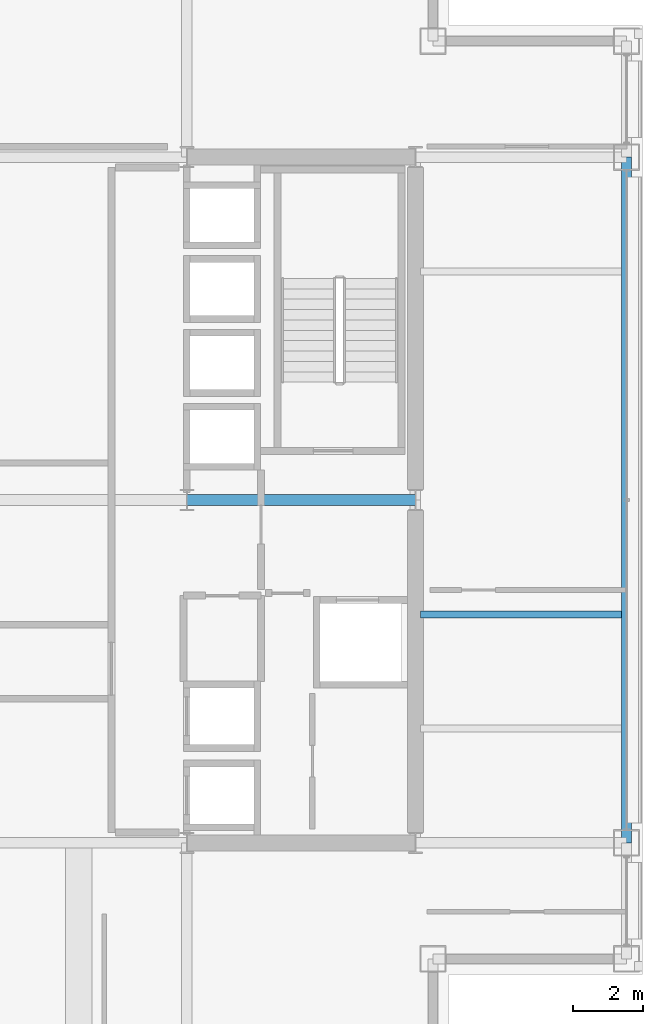
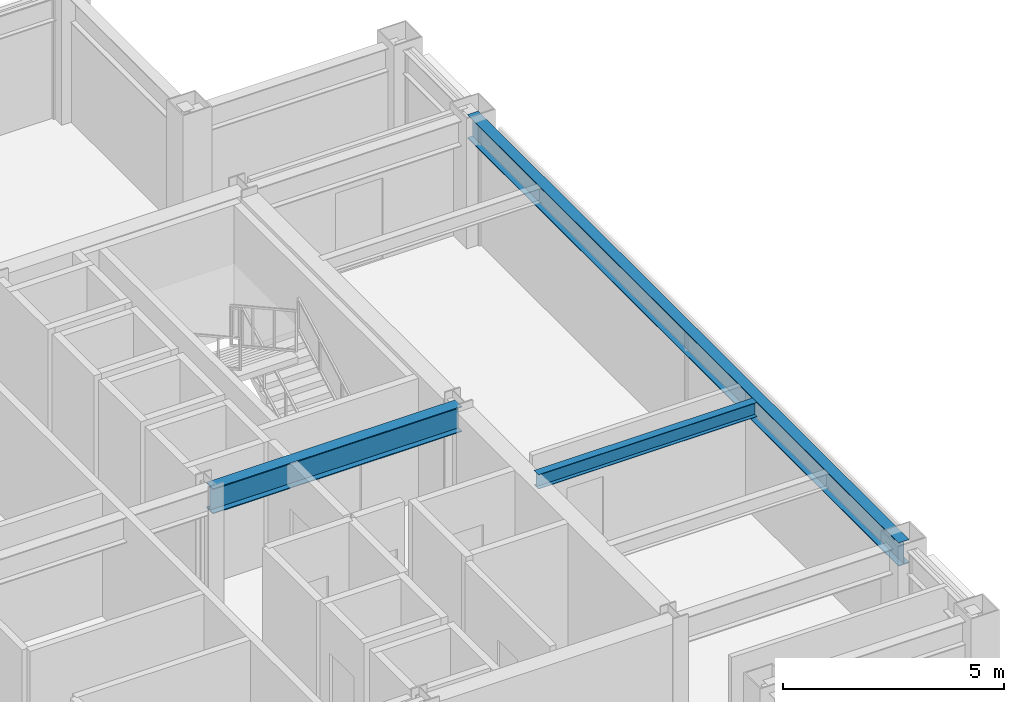
# One storey, part 14 of 28: 3 beams.
"""IFC4 building model written with IfcOpenShell, lengths in metres."""

import ifcopenshell
import ifcopenshell.guid

model = None  # the IFC model being written
_history = None  # IfcOwnerHistory: only IFC2X3 demands one
_inside = {}  # id of a spatial element -> (the spatial element, [elements in it])
_under = {}  # id of a project, library or spatial element -> (it, [spatial elements below it])
_declared = {}  # id of a project -> (the project, [libraries it declares])
_typed = {}  # id of a type object -> (the type object, [elements of that type])
_made_of = {}  # id of a material, layer set ... -> (it, [elements and type objects made of it])


def new_model(schema):
    """Start an empty IFC model of exactly this schema.

    Asked for "IFC4X3", IfcOpenShell would pick the latest addendum, in which some entities
    have other attributes; the version numbers below select the first issue.
    IFC2X3 requires an IfcOwnerHistory on every rooted entity: one is made here for all.
    """
    global model, _history
    if schema == "IFC4X3":
        model = ifcopenshell.file(schema_version=(4, 3, 0, 0))
    else:
        model = ifcopenshell.file(schema=schema)
    _inside.clear()
    _under.clear()
    _declared.clear()
    _typed.clear()
    _made_of.clear()
    _history = None
    if model.schema == "IFC2X3":
        org = make("IfcOrganization", Name="unknown")
        user = make(
            "IfcPersonAndOrganization",
            ThePerson=make("IfcPerson", FamilyName="unknown"),
            TheOrganization=org,
        )
        app = make(
            "IfcApplication",
            ApplicationDeveloper=org,
            Version="unknown",
            ApplicationFullName="unknown",
            ApplicationIdentifier="unknown",
        )
        _history = make(
            "IfcOwnerHistory",
            OwningUser=user,
            OwningApplication=app,
            ChangeAction="ADDED",
            CreationDate=0,
        )
    return model


def make(cls, **values):
    """One entity of the class cls with the attributes given. An attribute that is None is left unset."""
    return model.create_entity(
        cls, **{name: value for name, value in values.items() if value is not None}
    )


def rooted(cls, **values):
    """An entity with a GlobalId (a new one), such as an element, a storey or a relation."""
    return make(cls, GlobalId=ifcopenshell.guid.new(), OwnerHistory=_history, **values)


def si_unit(unit_type, name, prefix=None):
    """IfcSIUnit, for example si_unit("LENGTHUNIT", "METRE", prefix="MILLI")."""
    return make("IfcSIUnit", UnitType=unit_type, Prefix=prefix, Name=name)


def assignment(units):
    """IfcUnitAssignment: the units of a project."""
    return None if units is None else make("IfcUnitAssignment", Units=units)


def point(xyz):
    """IfcCartesianPoint."""
    return None if xyz is None else make("IfcCartesianPoint", Coordinates=xyz)


def direction(xyz):
    """IfcDirection."""
    return None if xyz is None else make("IfcDirection", DirectionRatios=xyz)


def frame(location, z_axis=None, x_axis=None):
    """IfcAxis2Placement3D, a coordinate frame: its origin and axes. An axis left out is left unset."""
    return make(
        "IfcAxis2Placement3D",
        Location=point(location),
        Axis=direction(z_axis),
        RefDirection=direction(x_axis),
    )


def frame_2d(location, x_axis=None):
    """IfcAxis2Placement2D, a coordinate frame in the plane: its origin and x axis."""
    return make(
        "IfcAxis2Placement2D", Location=point(location), RefDirection=direction(x_axis)
    )


def origin():
    """The frame at (0, 0, 0) with its axes left unset."""
    return frame((0.0, 0.0, 0.0))


def origin_2d():
    """The frame at (0, 0) in the plane with its x axis left unset."""
    return frame_2d((0.0, 0.0))


def place(relative_to, where):
    """IfcLocalPlacement: puts the frame where relative to a parent placement (None: the world)."""
    return make(
        "IfcLocalPlacement", PlacementRelTo=relative_to, RelativePlacement=where
    )


def context(
    kind, dimensions, precision=None, world=None, true_north=None, identifier=None
):
    """IfcGeometricRepresentationContext, for example the 3D "Model" context."""
    return make(
        "IfcGeometricRepresentationContext",
        ContextIdentifier=identifier,
        ContextType=kind,
        CoordinateSpaceDimension=dimensions,
        Precision=precision,
        WorldCoordinateSystem=world,
        TrueNorth=true_north,
    )


def subcontext(parent, identifier, kind, view, scale=None):
    """IfcGeometricRepresentationSubContext, for example "Body" below "Model"."""
    return make(
        "IfcGeometricRepresentationSubContext",
        ContextIdentifier=identifier,
        ContextType=kind,
        ParentContext=parent,
        TargetScale=scale,
        TargetView=view,
    )


def project(units=None, contexts=None):
    """IfcProject with its units and contexts."""
    return rooted(
        "IfcProject",
        Name="project",
        RepresentationContexts=contexts,
        UnitsInContext=assignment(units),
    )


def spatial(cls, under=None, at=None, **own):
    """A site, building, storey or space (cls), placed at a placement, below another one or the project."""
    s = rooted(cls, ObjectPlacement=at, **own)
    if under is not None:
        _under.setdefault(under.id(), (under, []))[1].append(s)
    return s


def profile(cls, at=None, kind="AREA", **sizes):
    """A parametric profile (cls). Its sizes go by their IFC names, for example OverallWidth=200.0."""
    return make(cls, ProfileType=kind, Position=at, **sizes)


def i_section(**sizes):
    """IfcIShapeProfileDef."""
    return profile("IfcIShapeProfileDef", **sizes)


def extrude(swept, where, along, depth):
    """IfcExtrudedAreaSolid: the profile swept, set in the frame where, extruded along a direction by depth."""
    return make(
        "IfcExtrudedAreaSolid",
        SweptArea=swept,
        Position=where,
        ExtrudedDirection=direction(along),
        Depth=depth,
    )


def shape(context_of_items, identifier, shape_type, items):
    """IfcShapeRepresentation: the items that make up one representation, for example the "Body"."""
    return make(
        "IfcShapeRepresentation",
        ContextOfItems=context_of_items,
        RepresentationIdentifier=identifier,
        RepresentationType=shape_type,
        Items=items,
    )


def material(Name=None, Category=None):
    """IfcMaterial."""
    return make("IfcMaterial", Name=Name, Category=Category)


def material_profile(
    of_material, cross_section, Name=None, Category=None, Priority=None
):
    """IfcMaterialProfile: a cross section and its material."""
    return make(
        "IfcMaterialProfile",
        Name=Name,
        Material=of_material,
        Profile=cross_section,
        Priority=Priority,
        Category=Category,
    )


def profile_set(profiles, Name=None, composite=None):
    """IfcMaterialProfileSet."""
    return make(
        "IfcMaterialProfileSet",
        Name=Name,
        MaterialProfiles=profiles,
        CompositeProfile=composite,
    )


def made_of(thing, what):
    """Note that an element or type object is made of a material, layer set ...; save() writes the relation."""
    if what is not None:
        _made_of.setdefault(what.id(), (what, []))[1].append(thing)
    return thing


def type_object(cls, material=None, **own):
    """A type object (cls), such as IfcWallType, which elements share."""
    return made_of(rooted(cls, **own), material)


def element(
    cls,
    number,
    at=None,
    inside=None,
    cuts=None,
    type_object=None,
    material=None,
    context=None,
    identifier="Body",
    shape_type=None,
    held_by="IfcProductDefinitionShape",
    body=None,
    shapes=None,
    **own,
):
    """One element of the class cls, such as IfcWall. Its Tag is "e" and its number.

    at: its placement. inside: the storey or other place that contains it. cuts: it is an
    opening in that element (IfcRelVoidsElement). A single representation is given by context,
    identifier, shape_type and body (its items); several are given by shapes. held_by: the class
    of the entity that holds the representations. save() writes the other relations.
    """
    e = rooted(cls, Tag="e%d" % number, ObjectPlacement=at, **own)
    if body is not None:
        shapes = [shape(context, identifier, shape_type, body)]
    if shapes is not None:
        e.Representation = make(held_by, Representations=shapes)
    if inside is not None:
        _inside.setdefault(inside.id(), (inside, []))[1].append(e)
    if cuts is not None:
        rooted(
            "IfcRelVoidsElement", RelatingBuildingElement=cuts, RelatedOpeningElement=e
        )
    if type_object is not None:
        _typed.setdefault(type_object.id(), (type_object, []))[1].append(e)
    return made_of(e, material)


def aggregate(whole, parts):
    """IfcRelAggregates: a whole, such as a stair, and the parts it consists of."""
    return rooted("IfcRelAggregates", RelatingObject=whole, RelatedObjects=parts)


def save(model, path):
    """Write the relations noted so far, then the file.

    IfcRelAggregates (storeys below a building ...), IfcRelContainedInSpatialStructure (elements
    in a storey), IfcRelDefinesByType, IfcRelAssociatesMaterial and IfcRelDeclares: one each for
    every whole, place, type object, material and project.
    """
    for whole, parts in _under.values():
        aggregate(whole, parts)
    for where, things in _inside.values():
        rooted(
            "IfcRelContainedInSpatialStructure",
            RelatedElements=things,
            RelatingStructure=where,
        )
    for kind, things in _typed.values():
        rooted("IfcRelDefinesByType", RelatedObjects=things, RelatingType=kind)
    for what, things in _made_of.values():
        rooted("IfcRelAssociatesMaterial", RelatedObjects=things, RelatingMaterial=what)
    for by, libraries in _declared.values():
        rooted("IfcRelDeclares", RelatingContext=by, RelatedDefinitions=libraries)
    model.write(path)


model = new_model("IFC4")

# Units and contexts
model_context = context("Model", 3, precision=1e-05, world=origin(), true_north=direction((0.0, 1.0)))
body_context = subcontext(model_context, "Body", "Model", "MODEL_VIEW")
ifc_project = project(units=[si_unit("LENGTHUNIT", "METRE"), si_unit("AREAUNIT", "SQUARE_METRE"), si_unit("VOLUMEUNIT", "CUBIC_METRE"), si_unit("PLANEANGLEUNIT", "RADIAN"), si_unit("MASSUNIT", "GRAM", prefix="KILO")], contexts=[model_context])

# Site, building, storey
site_placement = place(None, origin())
site = spatial("IfcSite", under=ifc_project, at=site_placement, CompositionType="ELEMENT")
building_placement = place(site_placement, origin())
building = spatial("IfcBuilding", under=site, at=building_placement, Name="Brelmoor Portico Tower", CompositionType="ELEMENT")
storey_placement = place(building_placement, frame((0.0, 0.0, 155.10009765625)))
storey = spatial("IfcBuildingStorey", under=building, at=storey_placement, Name="L40", CompositionType="ELEMENT", Elevation=155.10009765625)

# Beams
ifc_material = material(Name="Steel Q355B", Category="steel")
ifc_material_profile_1 = material_profile(ifc_material, i_section(OverallWidth=0.199951171875, OverallDepth=0.39990234375, WebThickness=0.008056640625, FlangeThickness=0.012939453125, at=origin_2d()), Name="HN 400x200x8x13")
ifc_profile_set_1 = profile_set([ifc_material_profile_1], Name="Steel Q355B")
beam_type_1 = type_object("IfcBeamType", Name="BM-JS-400", PredefinedType="JOIST", material=ifc_profile_set_1)
beam_1_placement = place(storey_placement, frame((14.699951171875, -3.25, 3.199951171875), z_axis=(1.0, 0.0, 0.0), x_axis=(0.0, 1.0, 0.0)))
element("IfcBeam", 1, at=beam_1_placement, inside=storey, type_object=beam_type_1, Name="L40 Secondary Wing Joist JS-E07", PredefinedType="JOIST", context=body_context, shape_type="SweptSolid", body=[
    extrude(i_section(OverallWidth=0.199951171875, OverallDepth=0.39990234375, WebThickness=0.008056640625, FlangeThickness=0.012939453125, at=origin_2d()), origin(), (0.0, 0.0, 1.0), 5.7099609375),
])
ifc_material_profile_2 = material_profile(ifc_material, i_section(OverallWidth=0.300048828125, OverallDepth=0.699951171875, WebThickness=0.012939453125, FlangeThickness=0.02392578125, at=origin_2d()), Name="HN 700x300x13x24")
ifc_profile_set_2 = profile_set([ifc_material_profile_2], Name="Steel Q355B")
beam_type_2 = type_object("IfcBeamType", Name="BM-PG-700", PredefinedType="BEAM", material=ifc_profile_set_2)
beam_2_placement = place(storey_placement, frame((8.050048828125, 0.0, 3.0498046875), z_axis=(1.0, 0.0, 0.0), x_axis=(0.0, 1.0, 0.0)))
element("IfcBeam", 2, at=beam_2_placement, inside=storey, type_object=beam_type_2, Name="L40 Primary Floor Girder PG-17", PredefinedType="BEAM", context=body_context, shape_type="SweptSolid", body=[
    extrude(i_section(OverallWidth=0.300048828125, OverallDepth=0.699951171875, WebThickness=0.012939453125, FlangeThickness=0.02392578125, at=origin_2d()), origin(), (0.0, 0.0, 1.0), 6.5),
])
ifc_material_profile_3 = material_profile(ifc_material, i_section(OverallWidth=0.280029296875, OverallDepth=0.64990234375, WebThickness=0.012939453125, FlangeThickness=0.02197265625, at=origin_2d()), Name="HN 650x280x13x22")
ifc_profile_set_3 = profile_set([ifc_material_profile_3], Name="Steel Q355B")
beam_type_3 = type_object("IfcBeamType", Name="BM-SP-650", PredefinedType="SPANDREL", material=ifc_profile_set_3)
beam_3_placement = place(storey_placement, frame((20.550048828125, -9.75, 3.074951171875), z_axis=(0.0, 1.0, 0.0), x_axis=(-1.0, 0.0, 0.0)))
element("IfcBeam", 3, at=beam_3_placement, inside=storey, type_object=beam_type_3, Name="L40 Perimeter Spandrel Beam SP-19", PredefinedType="SPANDREL", context=body_context, shape_type="SweptSolid", body=[
    extrude(i_section(OverallWidth=0.280029296875, OverallDepth=0.64990234375, WebThickness=0.012939453125, FlangeThickness=0.02197265625, at=origin_2d()), origin(), (0.0, 0.0, 1.0), 19.5),
])

save(model, "model.ifc")
